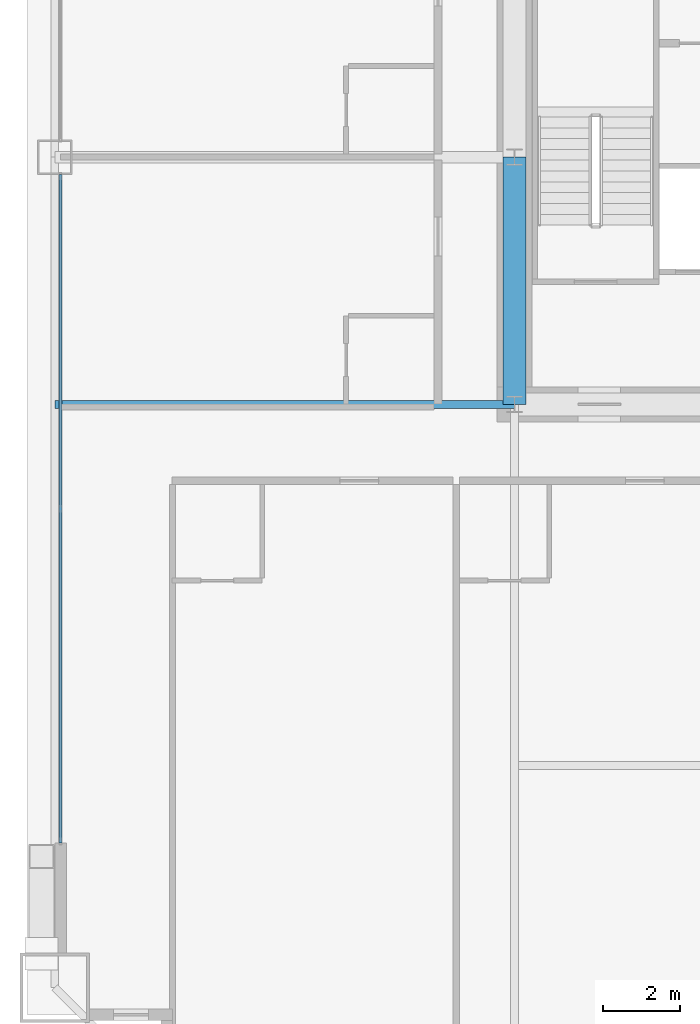
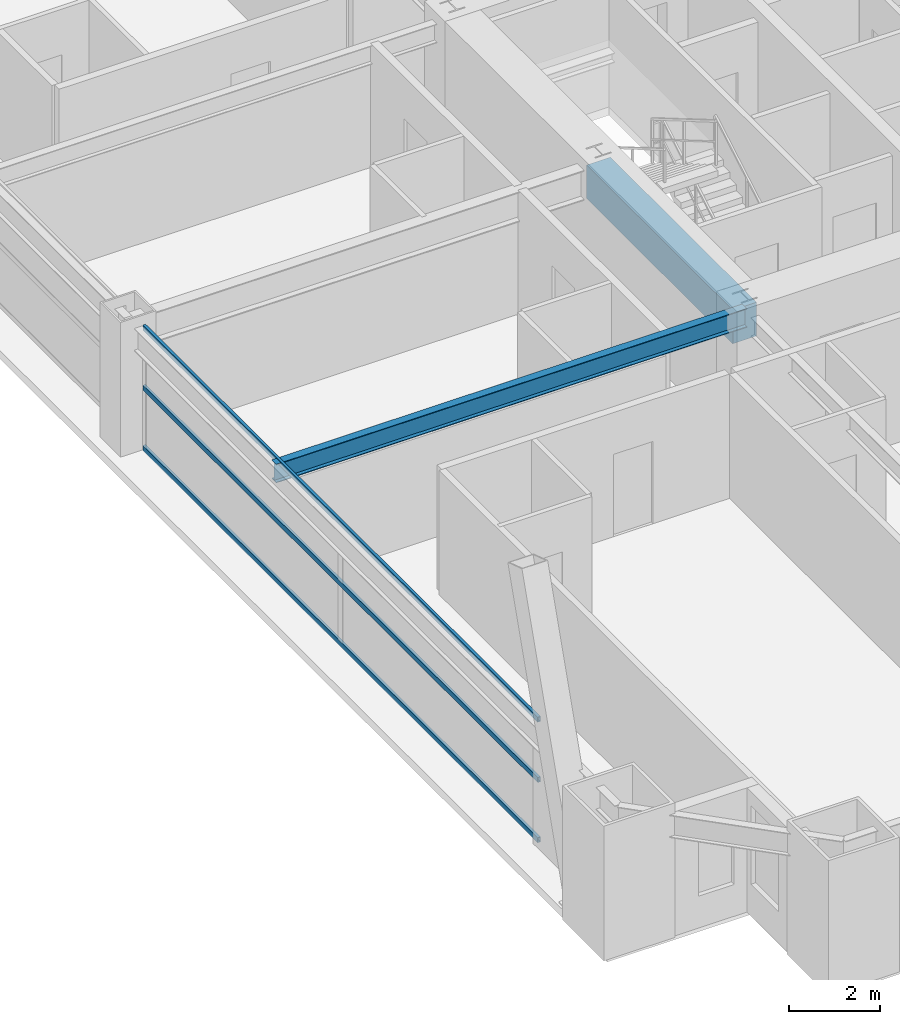
# One storey, part 10 of 43: 3 members, 2 beams, 1 element without a shape of its own.
"""IFC4 building model written with IfcOpenShell, lengths in metres."""

from ifc_helpers import new_model, si_unit, direction, frame, origin, origin_2d, place, context, subcontext, project, spatial, rectangle, hollow_rectangle, i_section, extrude, source, transform, mapped, material, layer, layer_set, material_profile, profile_set, type_object, element, aggregate, save


model = new_model("IFC4")

# Units and contexts
model_context = context("Model", 3, precision=1e-05, world=origin(), true_north=direction((0.0, 1.0)))
body_context = subcontext(model_context, "Body", "Model", "MODEL_VIEW")
ifc_project = project(units=[si_unit("LENGTHUNIT", "METRE"), si_unit("AREAUNIT", "SQUARE_METRE"), si_unit("VOLUMEUNIT", "CUBIC_METRE"), si_unit("PLANEANGLEUNIT", "RADIAN"), si_unit("MASSUNIT", "GRAM", prefix="KILO"), si_unit("THERMODYNAMICTEMPERATUREUNIT", "KELVIN"), si_unit("POWERUNIT", "WATT")], contexts=[model_context])

# Site, building, storey
site_placement = place(None, origin())
site = spatial("IfcSite", under=ifc_project, at=site_placement, CompositionType="ELEMENT")
building_placement = place(site_placement, origin())
building = spatial("IfcBuilding", under=site, at=building_placement, Name="Yuzanri Waterfront Tower", CompositionType="ELEMENT")
storey_placement = place(building_placement, frame((0.0, 0.0, 37.800048828125)))
storey = spatial("IfcBuildingStorey", under=building, at=storey_placement, Name="L09", CompositionType="ELEMENT", Elevation=37.800048828125)

# Beams
ifc_material_1 = material(Name="Concrete C60", Category="concrete")
ifc_material_profile_1 = material_profile(ifc_material_1, rectangle(XDim=0.60009765625, YDim=0.89990234375, at=origin_2d()), Name="RC 600x900")
ifc_profile_set_1 = profile_set([ifc_material_profile_1], Name="Concrete C60")
beam_type_1 = type_object("IfcBeamType", Name="Core Coupling Lintel Concrete C60 600x900", PredefinedType="LINTEL", material=ifc_profile_set_1)
shared_shape_1 = source(origin(), body_context, "Body", "SweptSolid", [
    extrude(rectangle(XDim=0.60009765625, YDim=0.89990234375, at=origin_2d()), origin(), (0.0, 0.0, 1.0), 6.400146484375),
])
beam_1_placement = place(storey_placement, frame((23.800048828125, 19.39990234375, 2.869873046875), z_axis=(0.0, 1.0, 0.0), x_axis=(-1.0, 0.0, 0.0)))
element("IfcBeam", 1, at=beam_1_placement, inside=storey, type_object=beam_type_1, Name="L09 Core Tie Beam CW1", PredefinedType="LINTEL", context=body_context, shape_type="MappedRepresentation", body=[
    mapped(shared_shape_1, transform((0.0, 0.0, 0.0), scale=1.0)),
])
ifc_material_2 = material(Name="Steel Q355B", Category="steel")
ifc_material_profile_2 = material_profile(ifc_material_2, i_section(OverallWidth=0.199951171875, OverallDepth=0.5, WebThickness=0.010009765625, FlangeThickness=0.01611328125, at=origin_2d()), Name="HN 500x200x10x16")
ifc_profile_set_2 = profile_set([ifc_material_profile_2], Name="Steel Q355B")
beam_type_2 = type_object("IfcBeamType", Name="Secondary Floor Beam Q355B HN 500x200", PredefinedType="BEAM", material=ifc_profile_set_2)
shared_shape_2 = source(origin(), body_context, "Body", "SweptSolid", [
    extrude(i_section(OverallWidth=0.199951171875, OverallDepth=0.5, WebThickness=0.010009765625, FlangeThickness=0.01611328125, at=origin_2d()), origin(), (0.0, 0.0, 1.0), 11.900146484375),
])
beam_2_placement = place(storey_placement, frame((23.800048828125, 19.39990234375, 3.070068359375), z_axis=(-1.0, 0.0, 0.0), x_axis=(0.0, -1.0, 0.0)))
element("IfcBeam", 2, at=beam_2_placement, inside=storey, type_object=beam_type_2, Name="L09 West-South Core Line Beam", PredefinedType="BEAM", context=body_context, shape_type="MappedRepresentation", body=[
    mapped(shared_shape_2, transform((0.0, 0.0, 0.0), scale=1.0)),
])

# Curtain wall, members
ifc_material_3 = material(Name="Anodized Architectural Bronze", Category="metal")
ifc_layer = layer(ifc_material_3, 0.159912109375)
ifc_layer_set = layer_set([ifc_layer], Name="Anodized Architectural Bronze")
curtain_wall_type = type_object("IfcCurtainWallType", Name="Anodized Bronze Hotel Lower-Tier Recessed Unitized Curtain Wall 8100", PredefinedType="NOTDEFINED", material=ifc_layer_set)
curtain_wall_placement = place(storey_placement, origin())
curtain_wall = element("IfcCurtainWall", 3, at=curtain_wall_placement, inside=storey, type_object=curtain_wall_type, Name="L09 Curtain Wall CW-L09-WL", PredefinedType="NOTDEFINED")
ifc_material_4 = material(Name="Anodized Architectural Bronze", Category="metal")
ifc_material_profile_3 = material_profile(ifc_material_4, hollow_rectangle(XDim=0.070068359375, YDim=0.135009765625, WallThickness=0.00341796875, at=origin_2d()), Name="CWT 70x135")
ifc_profile_set_3 = profile_set([ifc_material_profile_3], Name="Anodized Architectural Bronze")
member_type = type_object("IfcMemberType", Name="Anodized Bronze Standard Curtain-Wall Transom 70x135", PredefinedType="USERDEFINED", material=ifc_profile_set_3)
shared_shape_3 = source(origin(), body_context, "Body", "SweptSolid", [
    extrude(hollow_rectangle(XDim=0.070068359375, YDim=0.135009765625, WallThickness=0.00341796875, at=origin_2d()), origin(), (0.0, 0.0, 1.0), 17.300048828125),
])
member_1_placement = place(storey_placement, frame((12.050048828125, 8.050048828125, 0.050048828125), z_axis=(0.0, 1.0, 0.0), x_axis=(-1.0, 0.0, 0.0)))
member_1 = element("IfcMember", 4, at=member_1_placement, type_object=member_type, Name="CW-L09-WL Transom 1", ObjectType="TRANSOM", PredefinedType="USERDEFINED", context=body_context, shape_type="MappedRepresentation", body=[
    mapped(shared_shape_3, transform((0.0, 0.0, 0.0), scale=1.0)),
])
member_2_placement = place(storey_placement, frame((12.050048828125, 8.050048828125, 1.659912109375), z_axis=(0.0, 1.0, 0.0), x_axis=(-1.0, 0.0, 0.0)))
member_2 = element("IfcMember", 5, at=member_2_placement, type_object=member_type, Name="CW-L09-WL Transom 2", ObjectType="TRANSOM", PredefinedType="USERDEFINED", context=body_context, shape_type="MappedRepresentation", body=[
    mapped(shared_shape_3, transform((0.0, 0.0, 0.0), scale=1.0)),
])
member_3_placement = place(storey_placement, frame((12.050048828125, 8.050048828125, 3.27001953125), z_axis=(0.0, 1.0, 0.0), x_axis=(-1.0, 0.0, 0.0)))
member_3 = element("IfcMember", 6, at=member_3_placement, type_object=member_type, Name="CW-L09-WL Transom 3", ObjectType="TRANSOM", PredefinedType="USERDEFINED", context=body_context, shape_type="MappedRepresentation", body=[
    mapped(shared_shape_3, transform((0.0, 0.0, 0.0), scale=1.0)),
])
aggregate(curtain_wall, [member_1, member_2, member_3])

save(model, "model.ifc")
